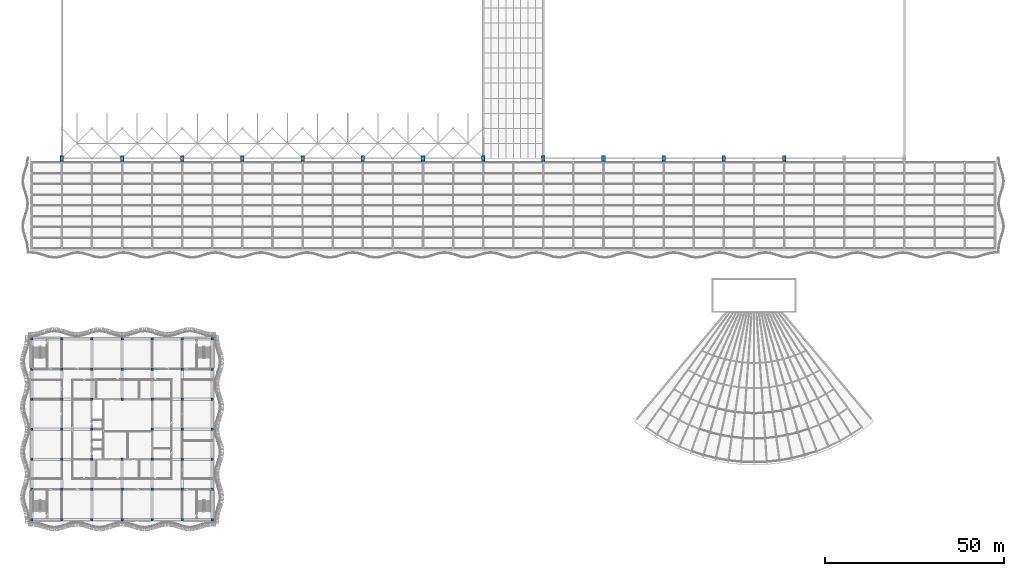
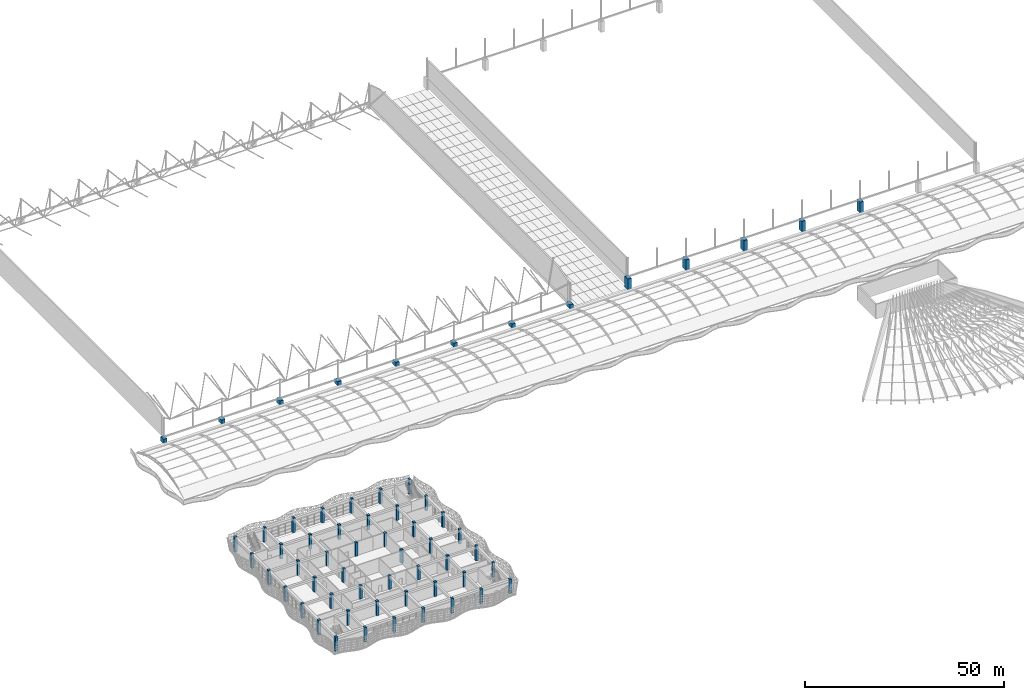
# One storey, part 1 of 163: 61 columns.
"""IFC4 building model written with IfcOpenShell, lengths in metres."""

from ifc_helpers import new_model, si_unit, direction, frame, origin, origin_2d, place, context, subcontext, project, spatial, rectangle, extrude, material, material_profile, profile_set, type_object, element, save


model = new_model("IFC4")

# Units and contexts
model_context = context("Model", 3, precision=1e-05, world=origin(), true_north=direction((0.0, 1.0)))
body_context = subcontext(model_context, "Body", "Model", "MODEL_VIEW")
ifc_project = project(units=[si_unit("LENGTHUNIT", "METRE"), si_unit("AREAUNIT", "SQUARE_METRE"), si_unit("VOLUMEUNIT", "CUBIC_METRE"), si_unit("PLANEANGLEUNIT", "RADIAN"), si_unit("MASSUNIT", "GRAM", prefix="KILO")], contexts=[model_context])

# Site, building, storey
site_placement = place(None, origin())
site = spatial("IfcSite", under=ifc_project, at=site_placement, CompositionType="ELEMENT")
building_placement = place(site_placement, origin())
building = spatial("IfcBuilding", under=site, at=building_placement, Name="Rain Tree Exposition and Congress Centre", CompositionType="ELEMENT")
storey_placement = place(building_placement, frame((0.0, 0.0, 10.5)))
storey = spatial("IfcBuildingStorey", under=building, at=storey_placement, Name="L02", CompositionType="ELEMENT", Elevation=10.5)

# Columns
ifc_material_1 = material(Name="Precast concrete C50/60", Category="concrete")
ifc_material_profile_1 = material_profile(ifc_material_1, rectangle(XDim=1.0, YDim=1.60009765625, at=origin_2d()), Name="RC 1000x1600")
ifc_profile_set_1 = profile_set([ifc_material_profile_1], Name="Precast concrete C50/60")
column_type_1 = type_object("IfcColumnType", Name="Precast column 1000x1600", PredefinedType="COLUMN", material=ifc_profile_set_1)
for number, where, z_axis, x_axis, name in (
    (1, (8.39990234375, 100.800048828125, 0.0), (0.0, 0.0, 1.0), (1.0, 0.0, 0.0), "Expressed column 1"),
    (2, (25.199951171875, 100.800048828125, 0.0), (0.0, 0.0, 1.0), (1.0, 0.0, 0.0), "Expressed column 2"),
    (3, (42.0, 100.800048828125, 0.0), (0.0, 0.0, 1.0), (1.0, 0.0, 0.0), "Expressed column 3"),
    (4, (58.800048828125, 100.800048828125, 0.0), (0.0, 0.0, 1.0), (1.0, 0.0, 0.0), "Expressed column 4"),
    (5, (75.60009765625, 100.800048828125, 0.0), (0.0, 0.0, 1.0), (1.0, 0.0, 0.0), "Expressed column 5"),
    (6, (92.39990234375, 100.800048828125, 0.0), (0.0, 0.0, 1.0), (1.0, 0.0, 0.0), "Expressed column 6"),
    (7, (109.199951171875, 100.800048828125, 0.0), (0.0, 0.0, 1.0), (1.0, 0.0, 0.0), "Expressed column 7"),
    (8, (126.0, 100.800048828125, 0.0), (0.0, 0.0, 1.0), (1.0, 0.0, 0.0), "Expressed column 8"),
):
    element("IfcColumn", number, at=place(storey_placement, frame(where, z_axis=z_axis, x_axis=x_axis)), inside=storey, type_object=column_type_1, Name=name, PredefinedType="COLUMN", context=body_context, shape_type="SweptSolid", body=[
        extrude(rectangle(XDim=1.0, YDim=1.60009765625, at=origin_2d()), origin(), (0.0, 0.0, 1.0), 1.300048828125),
    ])
for number, where, z_axis, x_axis, name in (
    (9, (142.800048828125, 100.800048828125, 0.0), (0.0, 0.0, 1.0), (1.0, 0.0, 0.0), "Expressed column 1"),
    (10, (159.60009765625, 100.800048828125, 0.0), (0.0, 0.0, 1.0), (1.0, 0.0, 0.0), "Expressed column 2"),
    (11, (176.39990234375, 100.800048828125, 0.0), (0.0, 0.0, 1.0), (1.0, 0.0, 0.0), "Expressed column 3"),
    (12, (193.199951171875, 100.800048828125, 0.0), (0.0, 0.0, 1.0), (1.0, 0.0, 0.0), "Expressed column 4"),
    (13, (210.0, 100.800048828125, 0.0), (0.0, 0.0, 1.0), (1.0, 0.0, 0.0), "Expressed column 5"),
):
    element("IfcColumn", number, at=place(storey_placement, frame(where, z_axis=z_axis, x_axis=x_axis)), inside=storey, type_object=column_type_1, Name=name, PredefinedType="COLUMN", context=body_context, shape_type="SweptSolid", body=[
        extrude(rectangle(XDim=1.0, YDim=1.60009765625, at=origin_2d()), origin(), (0.0, 0.0, 1.0), 3.300048828125),
    ])
ifc_material_2 = material(Name="Precast concrete C50/60", Category="concrete")
ifc_material_profile_2 = material_profile(ifc_material_2, rectangle(XDim=0.699951171875, YDim=0.699951171875, at=origin_2d()), Name="RC 700x700")
ifc_profile_set_2 = profile_set([ifc_material_profile_2], Name="Precast concrete C50/60")
column_type_2 = type_object("IfcColumnType", Name="Precast column 700x700", PredefinedType="COLUMN", material=ifc_profile_set_2)
for number, where, z_axis, x_axis, name in (
    (14, (0.0, 0.0, 0.0), (0.0, 0.0, 1.0), (1.0, 0.0, 0.0), "wing/column/L02/00000-00000"),
    (15, (0.0, 8.39990234375, 0.0), (0.0, 0.0, 1.0), (1.0, 0.0, 0.0), "wing/column/L02/00000-08400"),
    (16, (0.0, 16.800048828125, 0.0), (0.0, 0.0, 1.0), (1.0, 0.0, 0.0), "wing/column/L02/00000-16800"),
    (17, (0.0, 25.199951171875, 0.0), (0.0, 0.0, 1.0), (1.0, 0.0, 0.0), "wing/column/L02/00000-25200"),
    (18, (0.0, 33.60009765625, 0.0), (0.0, 0.0, 1.0), (1.0, 0.0, 0.0), "wing/column/L02/00000-33600"),
    (19, (0.0, 42.0, 0.0), (0.0, 0.0, 1.0), (1.0, 0.0, 0.0), "wing/column/L02/00000-42000"),
    (20, (0.0, 50.39990234375, 0.0), (0.0, 0.0, 1.0), (1.0, 0.0, 0.0), "wing/column/L02/00000-50400"),
    (21, (8.39990234375, 0.0, 0.0), (0.0, 0.0, 1.0), (1.0, 0.0, 0.0), "wing/column/L02/08400-00000"),
    (22, (8.39990234375, 8.39990234375, 0.0), (0.0, 0.0, 1.0), (1.0, 0.0, 0.0), "wing/column/L02/08400-08400"),
    (23, (8.39990234375, 16.800048828125, 0.0), (0.0, 0.0, 1.0), (1.0, 0.0, 0.0), "wing/column/L02/08400-16800"),
    (24, (8.39990234375, 25.199951171875, 0.0), (0.0, 0.0, 1.0), (1.0, 0.0, 0.0), "wing/column/L02/08400-25200"),
    (25, (8.39990234375, 33.60009765625, 0.0), (0.0, 0.0, 1.0), (1.0, 0.0, 0.0), "wing/column/L02/08400-33600"),
    (26, (8.39990234375, 42.0, 0.0), (0.0, 0.0, 1.0), (1.0, 0.0, 0.0), "wing/column/L02/08400-42000"),
    (27, (8.39990234375, 50.39990234375, 0.0), (0.0, 0.0, 1.0), (1.0, 0.0, 0.0), "wing/column/L02/08400-50400"),
    (28, (16.800048828125, 0.0, 0.0), (0.0, 0.0, 1.0), (1.0, 0.0, 0.0), "wing/column/L02/16800-00000"),
    (29, (16.800048828125, 8.39990234375, 0.0), (0.0, 0.0, 1.0), (1.0, 0.0, 0.0), "wing/column/L02/16800-08400"),
):
    element("IfcColumn", number, at=place(storey_placement, frame(where, z_axis=z_axis, x_axis=x_axis)), inside=storey, type_object=column_type_2, Name=name, PredefinedType="COLUMN", context=body_context, shape_type="SweptSolid", body=[
        extrude(rectangle(XDim=0.699951171875, YDim=0.699951171875, at=origin_2d()), origin(), (0.0, 0.0, 1.0), 4.5),
    ])
for number, where, z_axis, x_axis, name in (
    (30, (16.800048828125, 16.800048828125, 0.0), (0.0, 0.0, 1.0), (1.0, 0.0, 0.0), "wing/column/L02/16800-16800"),
    (31, (16.800048828125, 25.199951171875, 0.0), (0.0, 0.0, 1.0), (1.0, 0.0, 0.0), "wing/column/L02/16800-25200"),
    (32, (16.800048828125, 33.60009765625, 0.0), (0.0, 0.0, 1.0), (1.0, 0.0, 0.0), "wing/column/L02/16800-33600"),
):
    element("IfcColumn", number, at=place(storey_placement, frame(where, z_axis=z_axis, x_axis=x_axis)), inside=storey, type_object=column_type_2, Name=name, PredefinedType="COLUMN", context=body_context, shape_type="SweptSolid", body=[
        extrude(rectangle(XDim=0.699951171875, YDim=0.699951171875, at=origin_2d()), origin(), (0.0, 0.0, 1.0), 4.14990234375),
    ])
for number, where, z_axis, x_axis, name in (
    (33, (16.800048828125, 42.0, 0.0), (0.0, 0.0, 1.0), (1.0, 0.0, 0.0), "wing/column/L02/16800-42000"),
    (34, (16.800048828125, 50.39990234375, 0.0), (0.0, 0.0, 1.0), (1.0, 0.0, 0.0), "wing/column/L02/16800-50400"),
    (35, (25.199951171875, 0.0, 0.0), (0.0, 0.0, 1.0), (1.0, 0.0, 0.0), "wing/column/L02/25200-00000"),
    (36, (25.199951171875, 8.39990234375, 0.0), (0.0, 0.0, 1.0), (1.0, 0.0, 0.0), "wing/column/L02/25200-08400"),
):
    element("IfcColumn", number, at=place(storey_placement, frame(where, z_axis=z_axis, x_axis=x_axis)), inside=storey, type_object=column_type_2, Name=name, PredefinedType="COLUMN", context=body_context, shape_type="SweptSolid", body=[
        extrude(rectangle(XDim=0.699951171875, YDim=0.699951171875, at=origin_2d()), origin(), (0.0, 0.0, 1.0), 4.5),
    ])
for number, where, z_axis, x_axis, name in (
    (37, (25.199951171875, 16.800048828125, 0.0), (0.0, 0.0, 1.0), (1.0, 0.0, 0.0), "wing/column/L02/25200-16800"),
    (38, (25.199951171875, 33.60009765625, 0.0), (0.0, 0.0, 1.0), (1.0, 0.0, 0.0), "wing/column/L02/25200-33600"),
):
    element("IfcColumn", number, at=place(storey_placement, frame(where, z_axis=z_axis, x_axis=x_axis)), inside=storey, type_object=column_type_2, Name=name, PredefinedType="COLUMN", context=body_context, shape_type="SweptSolid", body=[
        extrude(rectangle(XDim=0.699951171875, YDim=0.699951171875, at=origin_2d()), origin(), (0.0, 0.0, 1.0), 4.14990234375),
    ])
for number, where, z_axis, x_axis, name in (
    (39, (25.199951171875, 42.0, 0.0), (0.0, 0.0, 1.0), (1.0, 0.0, 0.0), "wing/column/L02/25200-42000"),
    (40, (25.199951171875, 50.39990234375, 0.0), (0.0, 0.0, 1.0), (1.0, 0.0, 0.0), "wing/column/L02/25200-50400"),
    (41, (33.60009765625, 0.0, 0.0), (0.0, 0.0, 1.0), (1.0, 0.0, 0.0), "wing/column/L02/33600-00000"),
    (42, (33.60009765625, 8.39990234375, 0.0), (0.0, 0.0, 1.0), (1.0, 0.0, 0.0), "wing/column/L02/33600-08400"),
):
    element("IfcColumn", number, at=place(storey_placement, frame(where, z_axis=z_axis, x_axis=x_axis)), inside=storey, type_object=column_type_2, Name=name, PredefinedType="COLUMN", context=body_context, shape_type="SweptSolid", body=[
        extrude(rectangle(XDim=0.699951171875, YDim=0.699951171875, at=origin_2d()), origin(), (0.0, 0.0, 1.0), 4.5),
    ])
for number, where, z_axis, x_axis, name in (
    (43, (33.60009765625, 16.800048828125, 0.0), (0.0, 0.0, 1.0), (1.0, 0.0, 0.0), "wing/column/L02/33600-16800"),
    (44, (33.60009765625, 25.199951171875, 0.0), (0.0, 0.0, 1.0), (1.0, 0.0, 0.0), "wing/column/L02/33600-25200"),
    (45, (33.60009765625, 33.60009765625, 0.0), (0.0, 0.0, 1.0), (1.0, 0.0, 0.0), "wing/column/L02/33600-33600"),
):
    element("IfcColumn", number, at=place(storey_placement, frame(where, z_axis=z_axis, x_axis=x_axis)), inside=storey, type_object=column_type_2, Name=name, PredefinedType="COLUMN", context=body_context, shape_type="SweptSolid", body=[
        extrude(rectangle(XDim=0.699951171875, YDim=0.699951171875, at=origin_2d()), origin(), (0.0, 0.0, 1.0), 4.14990234375),
    ])
for number, where, z_axis, x_axis, name in (
    (46, (33.60009765625, 42.0, 0.0), (0.0, 0.0, 1.0), (1.0, 0.0, 0.0), "wing/column/L02/33600-42000"),
    (47, (33.60009765625, 50.39990234375, 0.0), (0.0, 0.0, 1.0), (1.0, 0.0, 0.0), "wing/column/L02/33600-50400"),
    (48, (42.0, 0.0, 0.0), (0.0, 0.0, 1.0), (1.0, 0.0, 0.0), "wing/column/L02/42000-00000"),
    (49, (42.0, 8.39990234375, 0.0), (0.0, 0.0, 1.0), (1.0, 0.0, 0.0), "wing/column/L02/42000-08400"),
    (50, (42.0, 16.800048828125, 0.0), (0.0, 0.0, 1.0), (1.0, 0.0, 0.0), "wing/column/L02/42000-16800"),
    (51, (42.0, 25.199951171875, 0.0), (0.0, 0.0, 1.0), (1.0, 0.0, 0.0), "wing/column/L02/42000-25200"),
    (52, (42.0, 33.60009765625, 0.0), (0.0, 0.0, 1.0), (1.0, 0.0, 0.0), "wing/column/L02/42000-33600"),
    (53, (42.0, 42.0, 0.0), (0.0, 0.0, 1.0), (1.0, 0.0, 0.0), "wing/column/L02/42000-42000"),
    (54, (42.0, 50.39990234375, 0.0), (0.0, 0.0, 1.0), (1.0, 0.0, 0.0), "wing/column/L02/42000-50400"),
    (55, (50.39990234375, 0.0, 0.0), (0.0, 0.0, 1.0), (1.0, 0.0, 0.0), "wing/column/L02/50400-00000"),
    (56, (50.39990234375, 8.39990234375, 0.0), (0.0, 0.0, 1.0), (1.0, 0.0, 0.0), "wing/column/L02/50400-08400"),
    (57, (50.39990234375, 16.800048828125, 0.0), (0.0, 0.0, 1.0), (1.0, 0.0, 0.0), "wing/column/L02/50400-16800"),
    (58, (50.39990234375, 25.199951171875, 0.0), (0.0, 0.0, 1.0), (1.0, 0.0, 0.0), "wing/column/L02/50400-25200"),
    (59, (50.39990234375, 33.60009765625, 0.0), (0.0, 0.0, 1.0), (1.0, 0.0, 0.0), "wing/column/L02/50400-33600"),
    (60, (50.39990234375, 42.0, 0.0), (0.0, 0.0, 1.0), (1.0, 0.0, 0.0), "wing/column/L02/50400-42000"),
    (61, (50.39990234375, 50.39990234375, 0.0), (0.0, 0.0, 1.0), (1.0, 0.0, 0.0), "wing/column/L02/50400-50400"),
):
    element("IfcColumn", number, at=place(storey_placement, frame(where, z_axis=z_axis, x_axis=x_axis)), inside=storey, type_object=column_type_2, Name=name, PredefinedType="COLUMN", context=body_context, shape_type="SweptSolid", body=[
        extrude(rectangle(XDim=0.699951171875, YDim=0.699951171875, at=origin_2d()), origin(), (0.0, 0.0, 1.0), 4.5),
    ])

save(model, "model.ifc")
